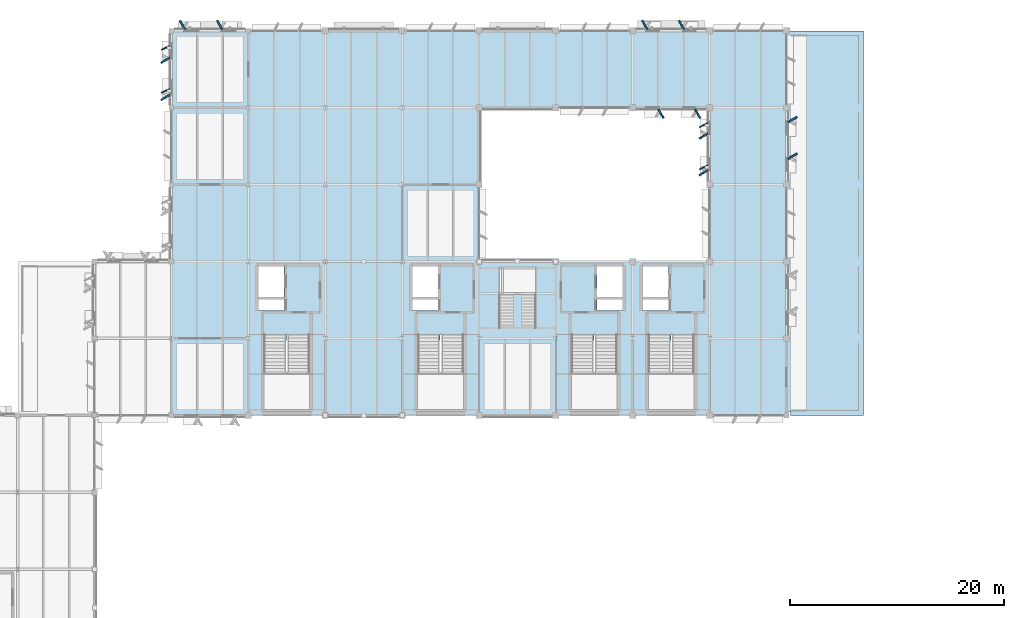
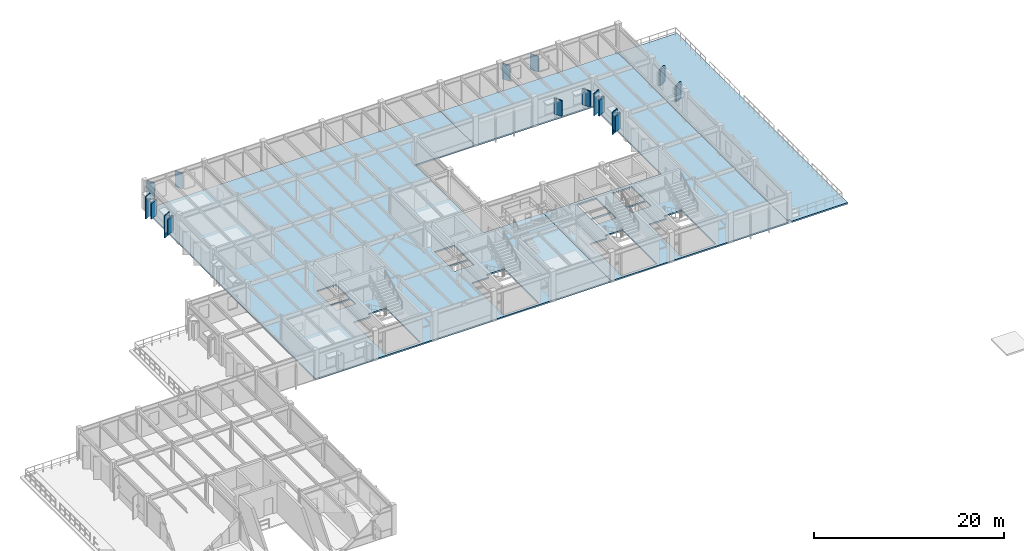
# One storey, part 10 of 35: 16 plates, 3 slabs.
"""IFC4 building model written with IfcOpenShell, lengths in metres."""

from ifc_helpers import new_model, si_unit, direction, frame, origin, origin_2d, place, context, subcontext, project, spatial, polyline, rectangle, outline, extrude, material, layer, layer_set, type_object, element, save


model = new_model("IFC4")

# Units and contexts
model_context = context("Model", 3, precision=1e-05, world=origin(), true_north=direction((0.0, 1.0)))
body_context = subcontext(model_context, "Body", "Model", "MODEL_VIEW")
ifc_project = project(units=[si_unit("LENGTHUNIT", "METRE"), si_unit("AREAUNIT", "SQUARE_METRE"), si_unit("VOLUMEUNIT", "CUBIC_METRE"), si_unit("PLANEANGLEUNIT", "RADIAN"), si_unit("MASSUNIT", "GRAM", prefix="KILO")], contexts=[model_context])

# Site, building, storey
site_placement = place(None, origin())
site = spatial("IfcSite", under=ifc_project, at=site_placement, CompositionType="ELEMENT")
building_placement = place(site_placement, origin())
building = spatial("IfcBuilding", under=site, at=building_placement, Name="Sillqori Civic Hall", CompositionType="ELEMENT")
storey_placement = place(building_placement, frame((0.0, 0.0, 18.0)))
storey = spatial("IfcBuildingStorey", under=building, at=storey_placement, Name="L05", CompositionType="ELEMENT", Elevation=18.0)

# Plates
ifc_material_1 = material(Name="Precast concrete C40/50 (H40)", Category="concrete")
ifc_layer_1 = layer(ifc_material_1, 0.159912109375)
ifc_layer_set_1 = layer_set([ifc_layer_1], Name="Precast concrete C40/50 (H40)")
plate_type_1 = type_object("IfcPlateType", Name="FIN-WEST-350", PredefinedType="USERDEFINED", material=ifc_layer_set_1)
for number, where, z_axis, x_axis, name in (
    (1, (42.635009765625, 109.590087890625, 0.14990234375), (0.0, 0.0, 1.0), (-0.422618261741, 0.906307787037, 0.0), "L05 west brise-soleil fin L05-06-15-W.1"),
    (2, (42.635009765625, 113.610107421875, 0.14990234375), (0.0, 0.0, 1.0), (-0.422618261741, 0.906307787037, 0.0), "L05 west brise-soleil fin L05-06-15-W.2"),
):
    element("IfcPlate", number, at=place(storey_placement, frame(where, z_axis=z_axis, x_axis=x_axis)), inside=storey, type_object=plate_type_1, Name=name, ObjectType="SOLAR_FIN", PredefinedType="USERDEFINED", context=body_context, shape_type="SweptSolid", body=[
        extrude(rectangle(XDim=0.090087890625, YDim=0.8798828125, at=origin_2d()), origin(), (0.0, 0.0, 1.0), 2.8720703125),
    ])
for number, where, z_axis, x_axis, name in (
    (3, (93.034912109375, 102.419921875, 0.14990234375), (0.0, 0.0, 1.0), (-0.422618261741, 0.906307787037, 0.0), "L05 west brise-soleil fin L05-13-14-W.1"),
    (4, (93.034912109375, 106.3798828125, 0.14990234375), (0.0, 0.0, 1.0), (-0.422618261741, 0.906307787037, 0.0), "L05 west brise-soleil fin L05-13-14-W.2"),
):
    element("IfcPlate", number, at=place(storey_placement, frame(where, z_axis=z_axis, x_axis=x_axis)), inside=storey, type_object=plate_type_1, Name=name, ObjectType="SOLAR_FIN", PredefinedType="USERDEFINED", context=body_context, shape_type="SweptSolid", body=[
        extrude(rectangle(XDim=0.090087890625, YDim=0.8798828125, at=origin_2d()), origin(), (0.0, 0.0, 1.0), 2.89208984375),
    ])
ifc_layer_2 = layer(ifc_material_1, 0.159912109375)
ifc_layer_set_2 = layer_set([ifc_layer_2], Name="Precast concrete C40/50 (H40)")
plate_type_2 = type_object("IfcPlateType", Name="REV-SAW-200", PredefinedType="USERDEFINED", material=ifc_layer_set_2)
for number, where, z_axis, x_axis, name in (
    (5, (44.222900390625, 115.760009765625, 0.875), (0.0, 0.0, 1.0), (0.866025403784, 0.5, 0.0), "Sawtooth stone window reveal L05-06-15-N.1"),
    (6, (47.70703125, 115.760009765625, 0.875), (0.0, 0.0, 1.0), (0.866025403784, 0.5, 0.0), "Sawtooth stone window reveal L05-06-15-N.2"),
    (7, (42.639892578125, 108.972900390625, 0.875), (0.0, 0.0, 1.0), (-0.5, 0.866025403784, 0.0), "Sawtooth stone window reveal L05-06-15-W.1"),
    (8, (42.639892578125, 112.45703125, 0.875), (0.0, 0.0, 1.0), (-0.5, 0.866025403784, 0.0), "Sawtooth stone window reveal L05-06-15-W.2"),
    (9, (92.47607421875, 107.43994140625, 0.800048828125), (0.0, 0.0, 1.0), (-0.866025403784, -0.5, 0.0), "Sawtooth stone window reveal L05-12-15-S.1"),
    (10, (89.0439453125, 107.43994140625, 0.800048828125), (0.0, 0.0, 1.0), (-0.866025403784, -0.5, 0.0), "Sawtooth stone window reveal L05-12-15-S.2"),
    (11, (87.52392578125, 115.760009765625, 0.800048828125), (0.0, 0.0, 1.0), (0.866025403784, 0.5, 0.0), "Sawtooth stone window reveal L05-12-15-N.1"),
    (12, (90.9560546875, 115.760009765625, 0.800048828125), (0.0, 0.0, 1.0), (0.866025403784, 0.5, 0.0), "Sawtooth stone window reveal L05-12-15-N.2"),
    (13, (93.0400390625, 101.924072265625, 0.800048828125), (0.0, 0.0, 1.0), (-0.5, 0.866025403784, 0.0), "Sawtooth stone window reveal L05-13-14-W.1"),
    (14, (93.0400390625, 105.35595703125, 0.800048828125), (0.0, 0.0, 1.0), (-0.5, 0.866025403784, 0.0), "Sawtooth stone window reveal L05-13-14-W.2"),
    (15, (101.360107421875, 106.90087890625, 0.875), (0.0, 0.0, 1.0), (0.5, -0.866025403784, 0.0), "Sawtooth stone window reveal L05-13-14-E.1"),
    (16, (101.360107421875, 103.468994140625, 0.875), (0.0, 0.0, 1.0), (0.5, -0.866025403784, 0.0), "Sawtooth stone window reveal L05-13-14-E.2"),
):
    element("IfcPlate", number, at=place(storey_placement, frame(where, z_axis=z_axis, x_axis=x_axis)), inside=storey, type_object=plate_type_2, Name=name, ObjectType="REVEAL_PANEL", PredefinedType="USERDEFINED", context=body_context, shape_type="SweptSolid", body=[
        extrude(rectangle(XDim=0.159912109375, YDim=0.97998046875, at=origin_2d()), origin(), (0.0, 0.0, 1.0), 2.0),
    ])

# Slabs
ifc_material_2 = material(Name="Concrete C30/37 (H30)", Category="concrete")
ifc_layer_3 = layer(ifc_material_2, 0.179931640625)
ifc_layer_set_3 = layer_set([ifc_layer_3], Name="Concrete C30/37 (H30)")
slab_type_1 = type_object("IfcSlabType", Name="SLB-FLR-180", PredefinedType="FLOOR", material=ifc_layer_set_3)
slab_1_placement = place(storey_placement, frame((0.0, 0.0, -0.179931640625)))
element("IfcSlab", 17, at=slab_1_placement, inside=storey, type_object=slab_type_1, Name="L05 V4 composite floor slab 1.1", PredefinedType="FLOOR", context=body_context, shape_type="SweptSolid", body=[
    extrude(outline(polyline([(43.199951171875, 108.0), (43.199951171875, 115.199951171875), (50.39990234375, 115.199951171875), (57.60009765625, 115.199951171875), (64.800048828125, 115.199951171875), (72.0, 115.199951171875), (79.199951171875, 115.199951171875), (79.199951171875, 108.0), (72.0, 108.0), (72.0, 100.800048828125), (72.0, 93.60009765625), (79.199951171875, 93.60009765625), (79.199951171875, 86.39990234375), (79.199951171875, 79.199951171875), (72.0, 79.199951171875), (64.800048828125, 79.199951171875), (57.60009765625, 79.199951171875), (50.39990234375, 79.199951171875), (43.199951171875, 79.199951171875), (43.199951171875, 86.39990234375), (43.199951171875, 93.60009765625), (43.199951171875, 100.800048828125), (43.199951171875, 108.0)]), holes=[polyline([(51.860107421875, 86.219970703125), (51.860107421875, 79.550048828125), (56.139892578125, 79.550048828125), (56.139892578125, 86.77001953125), (53.9599609375, 86.77001953125), (53.9599609375, 86.219970703125), (51.860107421875, 86.219970703125)]), polyline([(53.75, 90.10009765625), (51.35009765625, 90.10009765625), (51.35009765625, 89.0), (53.75, 89.0), (53.75, 90.10009765625)]), polyline([(68.14990234375, 90.10009765625), (65.75, 90.10009765625), (65.75, 89.0), (68.14990234375, 89.0), (68.14990234375, 90.10009765625)]), polyline([(53.75, 93.14990234375), (51.35009765625, 93.14990234375), (51.35009765625, 90.25), (53.75, 90.25), (53.75, 93.14990234375)]), polyline([(68.14990234375, 93.14990234375), (65.75, 93.14990234375), (65.75, 90.25), (68.14990234375, 90.25), (68.14990234375, 93.14990234375)]), polyline([(66.260009765625, 86.219970703125), (66.260009765625, 79.550048828125), (70.5400390625, 79.550048828125), (70.5400390625, 86.77001953125), (68.360107421875, 86.77001953125), (68.360107421875, 86.219970703125), (66.260009765625, 86.219970703125)])]), origin(), (0.0, 0.0, 1.0), 0.179931640625),
])
slab_2_placement = place(storey_placement, frame((0.0, 0.0, -0.179931640625)))
element("IfcSlab", 18, at=slab_2_placement, inside=storey, type_object=slab_type_1, Name="L05 V4 composite floor slab 2.1", PredefinedType="FLOOR", context=body_context, shape_type="SweptSolid", body=[
    extrude(outline(polyline([(86.39990234375, 93.60009765625), (93.60009765625, 93.60009765625), (93.60009765625, 100.800048828125), (93.60009765625, 108.0), (86.39990234375, 108.0), (79.199951171875, 108.0), (79.199951171875, 115.199951171875), (86.39990234375, 115.199951171875), (93.60009765625, 115.199951171875), (100.800048828125, 115.199951171875), (100.800048828125, 108.0), (100.800048828125, 100.800048828125), (100.800048828125, 93.60009765625), (100.800048828125, 86.39990234375), (100.800048828125, 79.199951171875), (93.60009765625, 79.199951171875), (86.39990234375, 79.199951171875), (79.199951171875, 79.199951171875), (79.199951171875, 86.39990234375), (79.199951171875, 93.60009765625), (86.39990234375, 93.60009765625)]), holes=[polyline([(80.659912109375, 86.219970703125), (80.659912109375, 79.550048828125), (84.93994140625, 79.550048828125), (84.93994140625, 86.77001953125), (82.760009765625, 86.77001953125), (82.760009765625, 86.219970703125), (80.659912109375, 86.219970703125)]), polyline([(87.860107421875, 86.219970703125), (87.860107421875, 79.550048828125), (92.139892578125, 79.550048828125), (92.139892578125, 86.77001953125), (89.9599609375, 86.77001953125), (89.9599609375, 86.219970703125), (87.860107421875, 86.219970703125)]), polyline([(85.449951171875, 90.10009765625), (83.050048828125, 90.10009765625), (83.050048828125, 89.0), (85.449951171875, 89.0), (85.449951171875, 90.10009765625)]), polyline([(89.75, 90.10009765625), (87.35009765625, 90.10009765625), (87.35009765625, 89.0), (89.75, 89.0), (89.75, 90.10009765625)]), polyline([(85.449951171875, 93.14990234375), (83.050048828125, 93.14990234375), (83.050048828125, 90.25), (85.449951171875, 90.25), (85.449951171875, 93.14990234375)]), polyline([(89.75, 93.14990234375), (87.35009765625, 93.14990234375), (87.35009765625, 90.25), (89.75, 90.25), (89.75, 93.14990234375)])]), origin(), (0.0, 0.0, 1.0), 0.179931640625),
])
ifc_material_3 = material(Name="Concrete C35/45 (H35)", Category="concrete")
ifc_layer_4 = layer(ifc_material_3, 0.199951171875)
ifc_layer_set_4 = layer_set([ifc_layer_4], Name="Concrete C35/45 (H35)")
slab_type_2 = type_object("IfcSlabType", Name="SLB-TER-200", PredefinedType="FLOOR", material=ifc_layer_set_4)
slab_3_placement = place(storey_placement, frame((0.0, 0.0, -0.199951171875)))
element("IfcSlab", 19, at=slab_3_placement, inside=storey, type_object=slab_type_2, Name="Finance East Roof Garden", PredefinedType="FLOOR", context=body_context, shape_type="SweptSolid", body=[
    extrude(outline(polyline([(100.800048828125, 115.199951171875), (108.0, 115.199951171875), (108.0, 79.199951171875), (101.14990234375, 79.199951171875), (101.14990234375, 79.550048828125), (100.800048828125, 79.550048828125), (100.800048828125, 115.199951171875)])), origin(), (0.0, 0.0, 1.0), 0.199951171875),
])

save(model, "model.ifc")
